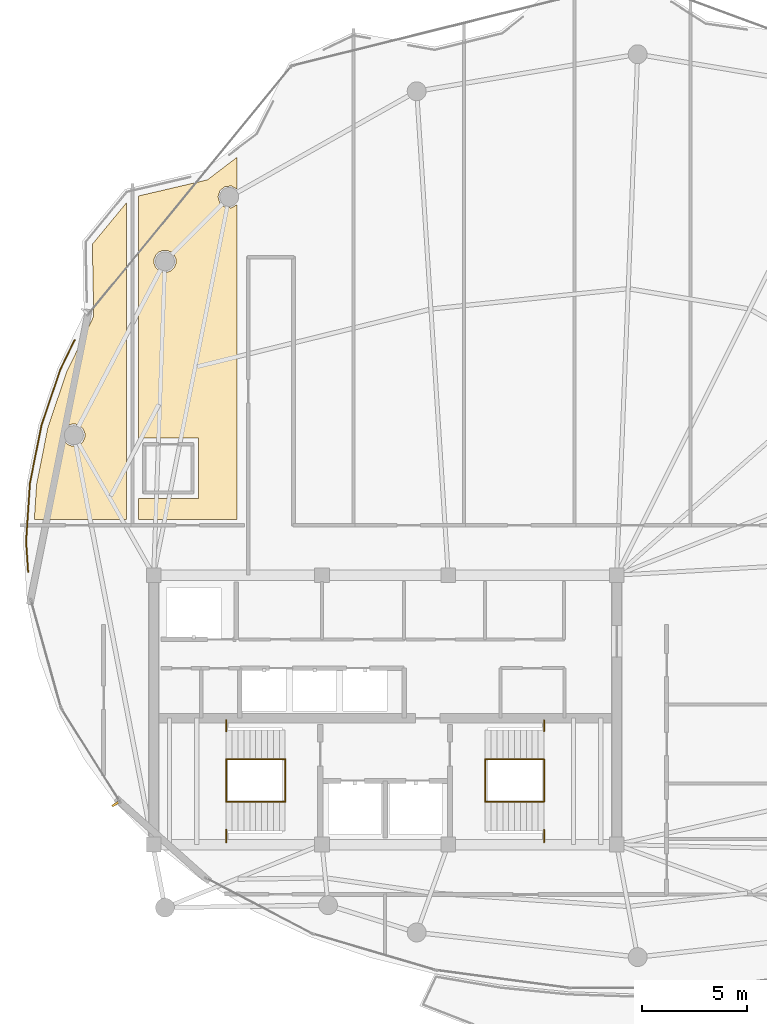
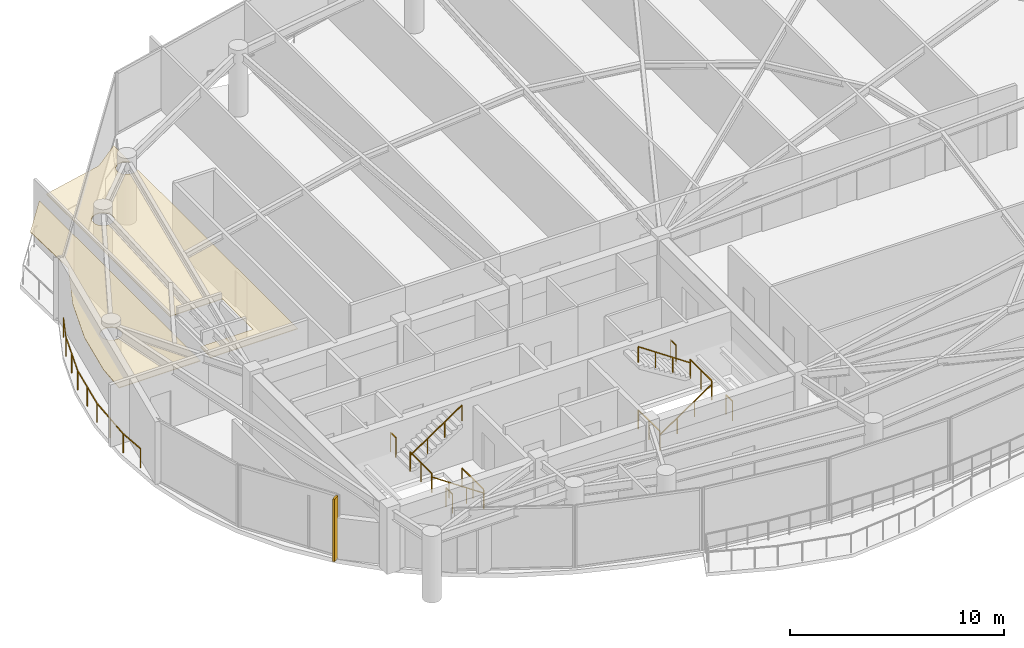
# One storey, part 27 of 29: 13 railings, 2 coverings, 1 shading device.
"""IFC4 building model written with IfcOpenShell, lengths in metres."""

import ifcopenshell
import ifcopenshell.guid

model = None  # the IFC model being written
_history = None  # IfcOwnerHistory: only IFC2X3 demands one
_inside = {}  # id of a spatial element -> (the spatial element, [elements in it])
_under = {}  # id of a project, library or spatial element -> (it, [spatial elements below it])
_declared = {}  # id of a project -> (the project, [libraries it declares])
_typed = {}  # id of a type object -> (the type object, [elements of that type])
_made_of = {}  # id of a material, layer set ... -> (it, [elements and type objects made of it])


def new_model(schema):
    """Start an empty IFC model of exactly this schema.

    Asked for "IFC4X3", IfcOpenShell would pick the latest addendum, in which some entities
    have other attributes; the version numbers below select the first issue.
    IFC2X3 requires an IfcOwnerHistory on every rooted entity: one is made here for all.
    """
    global model, _history
    if schema == "IFC4X3":
        model = ifcopenshell.file(schema_version=(4, 3, 0, 0))
    else:
        model = ifcopenshell.file(schema=schema)
    _inside.clear()
    _under.clear()
    _declared.clear()
    _typed.clear()
    _made_of.clear()
    _history = None
    if model.schema == "IFC2X3":
        org = make("IfcOrganization", Name="unknown")
        user = make(
            "IfcPersonAndOrganization",
            ThePerson=make("IfcPerson", FamilyName="unknown"),
            TheOrganization=org,
        )
        app = make(
            "IfcApplication",
            ApplicationDeveloper=org,
            Version="unknown",
            ApplicationFullName="unknown",
            ApplicationIdentifier="unknown",
        )
        _history = make(
            "IfcOwnerHistory",
            OwningUser=user,
            OwningApplication=app,
            ChangeAction="ADDED",
            CreationDate=0,
        )
    return model


def make(cls, **values):
    """One entity of the class cls with the attributes given. An attribute that is None is left unset."""
    return model.create_entity(
        cls, **{name: value for name, value in values.items() if value is not None}
    )


def rooted(cls, **values):
    """An entity with a GlobalId (a new one), such as an element, a storey or a relation."""
    return make(cls, GlobalId=ifcopenshell.guid.new(), OwnerHistory=_history, **values)


def si_unit(unit_type, name, prefix=None):
    """IfcSIUnit, for example si_unit("LENGTHUNIT", "METRE", prefix="MILLI")."""
    return make("IfcSIUnit", UnitType=unit_type, Prefix=prefix, Name=name)


def assignment(units):
    """IfcUnitAssignment: the units of a project."""
    return None if units is None else make("IfcUnitAssignment", Units=units)


def point(xyz):
    """IfcCartesianPoint."""
    return None if xyz is None else make("IfcCartesianPoint", Coordinates=xyz)


def direction(xyz):
    """IfcDirection."""
    return None if xyz is None else make("IfcDirection", DirectionRatios=xyz)


def frame(location, z_axis=None, x_axis=None):
    """IfcAxis2Placement3D, a coordinate frame: its origin and axes. An axis left out is left unset."""
    return make(
        "IfcAxis2Placement3D",
        Location=point(location),
        Axis=direction(z_axis),
        RefDirection=direction(x_axis),
    )


def frame_2d(location, x_axis=None):
    """IfcAxis2Placement2D, a coordinate frame in the plane: its origin and x axis."""
    return make(
        "IfcAxis2Placement2D", Location=point(location), RefDirection=direction(x_axis)
    )


def origin():
    """The frame at (0, 0, 0) with its axes left unset."""
    return frame((0.0, 0.0, 0.0))


def origin_2d():
    """The frame at (0, 0) in the plane with its x axis left unset."""
    return frame_2d((0.0, 0.0))


def place(relative_to, where):
    """IfcLocalPlacement: puts the frame where relative to a parent placement (None: the world)."""
    return make(
        "IfcLocalPlacement", PlacementRelTo=relative_to, RelativePlacement=where
    )


def context(
    kind, dimensions, precision=None, world=None, true_north=None, identifier=None
):
    """IfcGeometricRepresentationContext, for example the 3D "Model" context."""
    return make(
        "IfcGeometricRepresentationContext",
        ContextIdentifier=identifier,
        ContextType=kind,
        CoordinateSpaceDimension=dimensions,
        Precision=precision,
        WorldCoordinateSystem=world,
        TrueNorth=true_north,
    )


def subcontext(parent, identifier, kind, view, scale=None):
    """IfcGeometricRepresentationSubContext, for example "Body" below "Model"."""
    return make(
        "IfcGeometricRepresentationSubContext",
        ContextIdentifier=identifier,
        ContextType=kind,
        ParentContext=parent,
        TargetScale=scale,
        TargetView=view,
    )


def project(units=None, contexts=None):
    """IfcProject with its units and contexts."""
    return rooted(
        "IfcProject",
        Name="project",
        RepresentationContexts=contexts,
        UnitsInContext=assignment(units),
    )


def spatial(cls, under=None, at=None, **own):
    """A site, building, storey or space (cls), placed at a placement, below another one or the project."""
    s = rooted(cls, ObjectPlacement=at, **own)
    if under is not None:
        _under.setdefault(under.id(), (under, []))[1].append(s)
    return s


def polyline(points):
    """IfcPolyline through the points."""
    return make("IfcPolyline", Points=[point(p) for p in points])


def profile(cls, at=None, kind="AREA", **sizes):
    """A parametric profile (cls). Its sizes go by their IFC names, for example OverallWidth=200.0."""
    return make(cls, ProfileType=kind, Position=at, **sizes)


def rectangle(**sizes):
    """IfcRectangleProfileDef."""
    return profile("IfcRectangleProfileDef", **sizes)


def outline(outer, holes=None, kind="AREA"):
    """IfcArbitraryClosedProfileDef: a profile drawn as a closed curve; with holes, ...WithVoids."""
    if holes is None:
        return make("IfcArbitraryClosedProfileDef", ProfileType=kind, OuterCurve=outer)
    return make(
        "IfcArbitraryProfileDefWithVoids",
        ProfileType=kind,
        OuterCurve=outer,
        InnerCurves=holes,
    )


def extrude(swept, where, along, depth):
    """IfcExtrudedAreaSolid: the profile swept, set in the frame where, extruded along a direction by depth."""
    return make(
        "IfcExtrudedAreaSolid",
        SweptArea=swept,
        Position=where,
        ExtrudedDirection=direction(along),
        Depth=depth,
    )


def shape(context_of_items, identifier, shape_type, items):
    """IfcShapeRepresentation: the items that make up one representation, for example the "Body"."""
    return make(
        "IfcShapeRepresentation",
        ContextOfItems=context_of_items,
        RepresentationIdentifier=identifier,
        RepresentationType=shape_type,
        Items=items,
    )


def material(Name=None, Category=None):
    """IfcMaterial."""
    return make("IfcMaterial", Name=Name, Category=Category)


def layer(
    of_material, thickness, ventilated=None, Name=None, Category=None, Priority=None
):
    """IfcMaterialLayer: one layer of a wall or slab, of a material (None: an air gap)."""
    return make(
        "IfcMaterialLayer",
        Material=of_material,
        LayerThickness=thickness,
        IsVentilated=ventilated,
        Name=Name,
        Category=Category,
        Priority=Priority,
    )


def layer_set(layers, Name=None):
    """IfcMaterialLayerSet."""
    return make("IfcMaterialLayerSet", MaterialLayers=layers, LayerSetName=Name)


def made_of(thing, what):
    """Note that an element or type object is made of a material, layer set ...; save() writes the relation."""
    if what is not None:
        _made_of.setdefault(what.id(), (what, []))[1].append(thing)
    return thing


def type_object(cls, material=None, **own):
    """A type object (cls), such as IfcWallType, which elements share."""
    return made_of(rooted(cls, **own), material)


def element(
    cls,
    number,
    at=None,
    inside=None,
    cuts=None,
    type_object=None,
    material=None,
    context=None,
    identifier="Body",
    shape_type=None,
    held_by="IfcProductDefinitionShape",
    body=None,
    shapes=None,
    **own,
):
    """One element of the class cls, such as IfcWall. Its Tag is "e" and its number.

    at: its placement. inside: the storey or other place that contains it. cuts: it is an
    opening in that element (IfcRelVoidsElement). A single representation is given by context,
    identifier, shape_type and body (its items); several are given by shapes. held_by: the class
    of the entity that holds the representations. save() writes the other relations.
    """
    e = rooted(cls, Tag="e%d" % number, ObjectPlacement=at, **own)
    if body is not None:
        shapes = [shape(context, identifier, shape_type, body)]
    if shapes is not None:
        e.Representation = make(held_by, Representations=shapes)
    if inside is not None:
        _inside.setdefault(inside.id(), (inside, []))[1].append(e)
    if cuts is not None:
        rooted(
            "IfcRelVoidsElement", RelatingBuildingElement=cuts, RelatedOpeningElement=e
        )
    if type_object is not None:
        _typed.setdefault(type_object.id(), (type_object, []))[1].append(e)
    return made_of(e, material)


def aggregate(whole, parts):
    """IfcRelAggregates: a whole, such as a stair, and the parts it consists of."""
    return rooted("IfcRelAggregates", RelatingObject=whole, RelatedObjects=parts)


def save(model, path):
    """Write the relations noted so far, then the file.

    IfcRelAggregates (storeys below a building ...), IfcRelContainedInSpatialStructure (elements
    in a storey), IfcRelDefinesByType, IfcRelAssociatesMaterial and IfcRelDeclares: one each for
    every whole, place, type object, material and project.
    """
    for whole, parts in _under.values():
        aggregate(whole, parts)
    for where, things in _inside.values():
        rooted(
            "IfcRelContainedInSpatialStructure",
            RelatedElements=things,
            RelatingStructure=where,
        )
    for kind, things in _typed.values():
        rooted("IfcRelDefinesByType", RelatedObjects=things, RelatingType=kind)
    for what, things in _made_of.values():
        rooted("IfcRelAssociatesMaterial", RelatedObjects=things, RelatingMaterial=what)
    for by, libraries in _declared.values():
        rooted("IfcRelDeclares", RelatingContext=by, RelatedDefinitions=libraries)
    model.write(path)


model = new_model("IFC4")

# Units and contexts
model_context = context("Model", 3, precision=1e-05, world=origin(), true_north=direction((0.0, 1.0)))
body_context = subcontext(model_context, "Body", "Model", "MODEL_VIEW")
ifc_project = project(units=[si_unit("LENGTHUNIT", "METRE"), si_unit("AREAUNIT", "SQUARE_METRE"), si_unit("VOLUMEUNIT", "CUBIC_METRE"), si_unit("PLANEANGLEUNIT", "RADIAN"), si_unit("MASSUNIT", "GRAM", prefix="KILO")], contexts=[model_context])

# Site, building, storey
site_placement = place(None, origin())
site = spatial("IfcSite", under=ifc_project, at=site_placement, CompositionType="ELEMENT")
building_placement = place(site_placement, origin())
building = spatial("IfcBuilding", under=site, at=building_placement, Name="Kazevale Care Tower and Concert Hall", CompositionType="ELEMENT")
storey_placement = place(building_placement, frame((0.0, 0.0, 285.199951171875)))
storey = spatial("IfcBuildingStorey", under=building, at=storey_placement, Name="L75", CompositionType="ELEMENT", Elevation=285.199951171875)

# Coverings
ifc_material_1 = material(Name="Acoustic Plaster and Hinoki Wood", Category="wood")
ifc_layer = layer(ifc_material_1, 0.0400390625)
ifc_layer_set = layer_set([ifc_layer], Name="Acoustic Plaster and Hinoki Wood")
covering_type = type_object("IfcCoveringType", Name="Acoustic Perforated Wood-Gypsum Ceiling", PredefinedType="CEILING", material=ifc_layer_set)
covering_1_placement = place(storey_placement, frame((0.0, 0.0, 2.91015625)))
element("IfcCovering", 1, at=covering_1_placement, inside=storey, type_object=covering_type, Name="clg:L75:1", PredefinedType="CEILING", context=body_context, shape_type="SweptSolid", body=[
    extrude(outline(polyline([(16.97705078125, 43.422119140625), (17.864990234375, 46.049072265625), (19.154052734375, 48.701904296875), (19.087890625, 52.1240234375), (20.719970703125, 54.10693359375), (20.719970703125, 39.054931640625), (16.330078125, 39.054931640625), (16.44091796875, 40.72802734375), (16.97705078125, 43.422119140625)]), holes=[polyline([(18.72998046875, 43.153076171875), (18.65087890625, 43.343994140625), (18.50390625, 43.490966796875), (18.31298828125, 43.570068359375), (18.10693359375, 43.570068359375), (17.916015625, 43.490966796875), (17.76904296875, 43.343994140625), (17.68994140625, 43.153076171875), (17.68994140625, 42.947021484375), (17.76904296875, 42.756103515625), (17.916015625, 42.60888671875), (18.10693359375, 42.530029296875), (18.31298828125, 42.530029296875), (18.50390625, 42.60888671875), (18.65087890625, 42.756103515625), (18.72998046875, 42.947021484375), (18.72998046875, 43.153076171875)])]), origin(), (0.0, 0.0, 1.0), 0.039794921875),
])
covering_2_placement = place(storey_placement, frame((0.0, 0.0, 2.91015625)))
element("IfcCovering", 2, at=covering_2_placement, inside=storey, type_object=covering_type, Name="clg:L75:2", PredefinedType="CEILING", context=body_context, shape_type="SweptSolid", body=[
    extrude(outline(polyline([(24.1298828125, 42.905029296875), (21.280029296875, 42.905029296875), (21.280029296875, 54.4169921875), (24.552978515625, 55.180908203125), (25.969970703125, 56.260986328125), (25.969970703125, 54.738037109375), (25.693115234375, 54.889892578125), (25.386962890625, 54.860107421875), (25.14892578125, 54.6640625), (25.06005859375, 54.3701171875), (25.14892578125, 54.075927734375), (25.386962890625, 53.8798828125), (25.693115234375, 53.85009765625), (25.969970703125, 54.001953125), (25.969970703125, 39.054931640625), (21.280029296875, 39.054931640625), (21.280029296875, 40.044921875), (24.1298828125, 40.044921875), (24.1298828125, 42.905029296875)]), holes=[polyline([(23.06005859375, 51.4130859375), (22.98095703125, 51.60400390625), (22.833984375, 51.7509765625), (22.64306640625, 51.830078125), (22.43701171875, 51.830078125), (22.24609375, 51.7509765625), (22.09912109375, 51.60400390625), (22.02001953125, 51.4130859375), (22.02001953125, 51.20703125), (22.09912109375, 51.01611328125), (22.24609375, 50.868896484375), (22.43701171875, 50.7900390625), (22.64306640625, 50.7900390625), (22.833984375, 50.868896484375), (22.98095703125, 51.01611328125), (23.06005859375, 51.20703125), (23.06005859375, 51.4130859375)])]), origin(), (0.0, 0.0, 1.0), 0.039794921875),
])

# Railings
ifc_material_2 = material(Name="Anodised Bronze Aluminium and Laminated Glass", Category="aluminium")
railing_type_1 = type_object("IfcRailingType", Name="Balcony and Terrace Balustrade 1120", PredefinedType="BALUSTRADE", material=ifc_material_2)
railing_1_placement = place(storey_placement, frame((16.035888671875, 36.556884765625, 0.0)))
element("IfcRailing", 3, at=railing_1_placement, inside=storey, type_object=railing_type_1, Name="rail:L75:perim:1", PredefinedType="BALUSTRADE", context=body_context, shape_type="SweptSolid", body=[
    extrude(rectangle(XDim=0.048095703125, YDim=0.048095703125, at=origin_2d()), frame((0.0, 0.0, 1.09619140625), z_axis=(-0.066339749167, 0.997797092439, 0.0), x_axis=(-0.997797092439, -0.066339749167, 0.0)), (0.0, 0.0, 1.0), 1.4462890625),
    extrude(rectangle(XDim=0.048095703125, YDim=0.048095703125, at=origin_2d()), frame((-0.095947265625, 1.443115234375, 1.09619140625), z_axis=(0.065958643417, 0.997822357616, 0.0), x_axis=(-0.997822357616, 0.065958643417, 0.0)), (0.0, 0.0, 1.0), 2.776123046875),
    extrude(rectangle(XDim=0.048095703125, YDim=0.048095703125, at=origin_2d()), frame((0.087158203125, 4.213134765625, 1.09619140625), z_axis=(0.195408959087, 0.980721845738, 0.0), x_axis=(-0.980721845738, 0.195408959087, 0.0)), (0.0, 0.0, 1.0), 2.78857421875),
    extrude(rectangle(XDim=0.048095703125, YDim=0.048095703125, at=origin_2d()), frame((0.632080078125, 6.947998046875, 1.09619140625), z_axis=(0.31989547797, 0.947452839552, 0.0), x_axis=(-0.947452839552, 0.31989547797, 0.0)), (0.0, 0.0, 1.0), 2.81396484375),
    extrude(rectangle(XDim=0.048095703125, YDim=0.048095703125, at=origin_2d()), frame((1.5322265625, 9.614013671875, 1.09619140625), z_axis=(0.436955052618, 0.899483341698, 0.0), x_axis=(-0.899483341698, 0.436955052618, 0.0)), (0.0, 0.0, 1.0), 1.546630859375),
    extrude(rectangle(XDim=0.0419921875, YDim=0.0419921875, at=origin_2d()), origin(), (0.0, 0.0, 1.0), 1.072021484375),
    extrude(rectangle(XDim=0.0419921875, YDim=0.0419921875, at=origin_2d()), frame((-0.095947265625, 1.443115234375, 0.0)), (0.0, 0.0, 1.0), 1.072021484375),
    extrude(rectangle(XDim=0.0419921875, YDim=0.0419921875, at=origin_2d()), frame((-0.00439453125, 2.828125, 0.0)), (0.0, 0.0, 1.0), 1.072021484375),
    extrude(rectangle(XDim=0.0419921875, YDim=0.0419921875, at=origin_2d()), frame((0.087158203125, 4.213134765625, 0.0)), (0.0, 0.0, 1.0), 1.072021484375),
    extrude(rectangle(XDim=0.0419921875, YDim=0.0419921875, at=origin_2d()), frame((0.359619140625, 5.58056640625, 0.0)), (0.0, 0.0, 1.0), 1.072021484375),
    extrude(rectangle(XDim=0.0419921875, YDim=0.0419921875, at=origin_2d()), frame((0.632080078125, 6.947998046875, 0.0)), (0.0, 0.0, 1.0), 1.072021484375),
    extrude(rectangle(XDim=0.0419921875, YDim=0.0419921875, at=origin_2d()), frame((1.08203125, 8.281005859375, 0.0)), (0.0, 0.0, 1.0), 1.072021484375),
    extrude(rectangle(XDim=0.0419921875, YDim=0.0419921875, at=origin_2d()), frame((1.5322265625, 9.614013671875, 0.0)), (0.0, 0.0, 1.0), 1.072021484375),
    extrude(rectangle(XDim=0.0419921875, YDim=0.0419921875, at=origin_2d()), frame((2.2080078125, 11.005126953125, 0.0)), (0.0, 0.0, 1.0), 1.072021484375),
])
ifc_material_3 = material(Name="Stainless Steel 316", Category="steel")
railing_type_2 = type_object("IfcRailingType", Name="Stair Pitch Handrail 920", PredefinedType="HANDRAIL", material=ifc_material_3)
railing_2_placement = place(storey_placement, frame((28.25, 25.639892578125, 0.0)))
element("IfcRailing", 4, at=railing_2_placement, inside=storey, type_object=railing_type_2, Name="stair:L75:ST1:hr1", PredefinedType="HANDRAIL", context=body_context, shape_type="SweptSolid", body=[
    extrude(rectangle(XDim=0.048095703125, YDim=0.048095703125, at=origin_2d()), frame((0.0, 0.0, 0.89599609375), z_axis=(-0.827460210367, 0.0, 0.56152435411), x_axis=(0.0, -1.0, 0.0)), (0.0, 0.0, 1.0), 3.3837890625),
    extrude(rectangle(XDim=0.0419921875, YDim=0.0419921875, at=origin_2d()), origin(), (0.0, 0.0, 1.0), 0.871826171875),
    extrude(rectangle(XDim=0.0419921875, YDim=0.0419921875, at=origin_2d()), frame((-0.933349609375, 0.0, 0.63330078125)), (0.0, 0.0, 1.0), 0.871826171875),
    extrude(rectangle(XDim=0.0419921875, YDim=0.0419921875, at=origin_2d()), frame((-1.86669921875, 0.0, 1.266845703125)), (0.0, 0.0, 1.0), 0.871826171875),
    extrude(rectangle(XDim=0.0419921875, YDim=0.0419921875, at=origin_2d()), frame((-2.800048828125, 0.0, 1.900146484375)), (0.0, 0.0, 1.0), 0.871826171875),
])
railing_3_placement = place(storey_placement, frame((25.449951171875, 27.659912109375, 1.900146484375)))
element("IfcRailing", 5, at=railing_3_placement, inside=storey, type_object=railing_type_2, Name="stair:L75:ST1:hr2", PredefinedType="HANDRAIL", context=body_context, shape_type="SweptSolid", body=[
    extrude(rectangle(XDim=0.048095703125, YDim=0.048095703125, at=origin_2d()), frame((0.0, 0.0, 0.89599609375), z_axis=(0.827493732819, 0.0, 0.561474952376), x_axis=(0.0, 1.0, 0.0)), (0.0, 0.0, 1.0), 3.3837890625),
    extrude(rectangle(XDim=0.0419921875, YDim=0.0419921875, at=origin_2d()), origin(), (0.0, 0.0, 1.0), 0.871826171875),
    extrude(rectangle(XDim=0.0419921875, YDim=0.0419921875, at=origin_2d()), frame((0.933349609375, 0.0, 0.63330078125)), (0.0, 0.0, 1.0), 0.871826171875),
    extrude(rectangle(XDim=0.0419921875, YDim=0.0419921875, at=origin_2d()), frame((1.86669921875, 0.0, 1.2666015625)), (0.0, 0.0, 1.0), 0.871826171875),
    extrude(rectangle(XDim=0.0419921875, YDim=0.0419921875, at=origin_2d()), frame((2.800048828125, 0.0, 1.89990234375)), (0.0, 0.0, 1.0), 0.871826171875),
])
railing_4_placement = place(storey_placement, frame((37.75, 25.639892578125, 0.0)))
element("IfcRailing", 6, at=railing_4_placement, inside=storey, type_object=railing_type_2, Name="stair:L75:ST2:hr1", PredefinedType="HANDRAIL", context=body_context, shape_type="SweptSolid", body=[
    extrude(rectangle(XDim=0.048095703125, YDim=0.048095703125, at=origin_2d()), frame((0.0, 0.0, 0.89599609375), z_axis=(0.827460210367, 0.0, 0.56152435411), x_axis=(0.0, 1.0, 0.0)), (0.0, 0.0, 1.0), 3.3837890625),
    extrude(rectangle(XDim=0.0419921875, YDim=0.0419921875, at=origin_2d()), origin(), (0.0, 0.0, 1.0), 0.871826171875),
    extrude(rectangle(XDim=0.0419921875, YDim=0.0419921875, at=origin_2d()), frame((0.933349609375, 0.0, 0.63330078125)), (0.0, 0.0, 1.0), 0.871826171875),
    extrude(rectangle(XDim=0.0419921875, YDim=0.0419921875, at=origin_2d()), frame((1.86669921875, 0.0, 1.266845703125)), (0.0, 0.0, 1.0), 0.871826171875),
    extrude(rectangle(XDim=0.0419921875, YDim=0.0419921875, at=origin_2d()), frame((2.800048828125, 0.0, 1.900146484375)), (0.0, 0.0, 1.0), 0.871826171875),
])
railing_5_placement = place(storey_placement, frame((40.550048828125, 27.659912109375, 1.900146484375)))
element("IfcRailing", 7, at=railing_5_placement, inside=storey, type_object=railing_type_2, Name="stair:L75:ST2:hr2", PredefinedType="HANDRAIL", context=body_context, shape_type="SweptSolid", body=[
    extrude(rectangle(XDim=0.048095703125, YDim=0.048095703125, at=origin_2d()), frame((0.0, 0.0, 0.89599609375), z_axis=(-0.827493732819, 0.0, 0.561474952376), x_axis=(0.0, -1.0, 0.0)), (0.0, 0.0, 1.0), 3.3837890625),
    extrude(rectangle(XDim=0.0419921875, YDim=0.0419921875, at=origin_2d()), origin(), (0.0, 0.0, 1.0), 0.871826171875),
    extrude(rectangle(XDim=0.0419921875, YDim=0.0419921875, at=origin_2d()), frame((-0.933349609375, 0.0, 0.63330078125)), (0.0, 0.0, 1.0), 0.871826171875),
    extrude(rectangle(XDim=0.0419921875, YDim=0.0419921875, at=origin_2d()), frame((-1.86669921875, 0.0, 1.2666015625)), (0.0, 0.0, 1.0), 0.871826171875),
    extrude(rectangle(XDim=0.0419921875, YDim=0.0419921875, at=origin_2d()), frame((-2.800048828125, 0.0, 1.89990234375)), (0.0, 0.0, 1.0), 0.871826171875),
])
railing_type_3 = type_object("IfcRailingType", Name="Stair Well Guard Balustrade 1120", PredefinedType="BALUSTRADE", material=ifc_material_3)
railing_6_placement = place(storey_placement, frame((25.449951171875, 23.699951171875, 1.900146484375)))
element("IfcRailing", 8, at=railing_6_placement, inside=storey, type_object=railing_type_3, Name="stair:L75:ST1:grd_side1", PredefinedType="BALUSTRADE", context=body_context, shape_type="SweptSolid", body=[
    extrude(rectangle(XDim=0.048095703125, YDim=0.048095703125, at=origin_2d()), frame((0.0, 0.0, 1.09619140625), z_axis=(0.0, 1.0, 0.0), x_axis=(-1.0, 0.0, 0.0)), (0.0, 0.0, 1.0), 0.610107421875),
    extrude(rectangle(XDim=0.0419921875, YDim=0.0419921875, at=origin_2d()), origin(), (0.0, 0.0, 1.0), 1.072021484375),
    extrude(rectangle(XDim=0.0419921875, YDim=0.0419921875, at=origin_2d()), frame((0.0, 0.610107421875, 0.0)), (0.0, 0.0, 1.0), 1.072021484375),
])
railing_7_placement = place(storey_placement, frame((25.449951171875, 28.989990234375, 1.900146484375)))
element("IfcRailing", 9, at=railing_7_placement, inside=storey, type_object=railing_type_3, Name="stair:L75:ST1:grd_side2", PredefinedType="BALUSTRADE", context=body_context, shape_type="SweptSolid", body=[
    extrude(rectangle(XDim=0.048095703125, YDim=0.048095703125, at=origin_2d()), frame((0.0, 0.0, 1.09619140625), z_axis=(0.0, 1.0, 0.0), x_axis=(-1.0, 0.0, 0.0)), (0.0, 0.0, 1.0), 0.510009765625),
    extrude(rectangle(XDim=0.0419921875, YDim=0.0419921875, at=origin_2d()), origin(), (0.0, 0.0, 1.0), 1.072021484375),
    extrude(rectangle(XDim=0.0419921875, YDim=0.0419921875, at=origin_2d()), frame((0.0, 0.510009765625, 0.0)), (0.0, 0.0, 1.0), 1.072021484375),
])
for number, where, name in (
    (10, (25.449951171875, 25.639892578125, 1.900146484375), "stair:L75:ST1:grd_mid"),
    (11, (28.25, 25.639892578125, 0.0), "stair:L75:ST1:grd_flr"),
):
    element("IfcRailing", number, at=place(storey_placement, frame(where)), inside=storey, type_object=railing_type_3, Name=name, PredefinedType="BALUSTRADE", context=body_context, shape_type="SweptSolid", body=[
        extrude(rectangle(XDim=0.048095703125, YDim=0.048095703125, at=origin_2d()), frame((0.0, 0.0, 1.09619140625), z_axis=(0.0, 1.0, 0.0), x_axis=(-1.0, 0.0, 0.0)), (0.0, 0.0, 1.0), 2.02001953125),
        extrude(rectangle(XDim=0.0419921875, YDim=0.0419921875, at=origin_2d()), origin(), (0.0, 0.0, 1.0), 1.072021484375),
        extrude(rectangle(XDim=0.0419921875, YDim=0.0419921875, at=origin_2d()), frame((0.0, 1.010009765625, 0.0)), (0.0, 0.0, 1.0), 1.072021484375),
        extrude(rectangle(XDim=0.0419921875, YDim=0.0419921875, at=origin_2d()), frame((0.0, 2.02001953125, 0.0)), (0.0, 0.0, 1.0), 1.072021484375),
    ])
railing_8_placement = place(storey_placement, frame((40.550048828125, 23.699951171875, 1.900146484375)))
element("IfcRailing", 12, at=railing_8_placement, inside=storey, type_object=railing_type_3, Name="stair:L75:ST2:grd_side1", PredefinedType="BALUSTRADE", context=body_context, shape_type="SweptSolid", body=[
    extrude(rectangle(XDim=0.048095703125, YDim=0.048095703125, at=origin_2d()), frame((0.0, 0.0, 1.09619140625), z_axis=(0.0, 1.0, 0.0), x_axis=(-1.0, 0.0, 0.0)), (0.0, 0.0, 1.0), 0.610107421875),
    extrude(rectangle(XDim=0.0419921875, YDim=0.0419921875, at=origin_2d()), origin(), (0.0, 0.0, 1.0), 1.072021484375),
    extrude(rectangle(XDim=0.0419921875, YDim=0.0419921875, at=origin_2d()), frame((0.0, 0.610107421875, 0.0)), (0.0, 0.0, 1.0), 1.072021484375),
])
railing_9_placement = place(storey_placement, frame((40.550048828125, 28.989990234375, 1.900146484375)))
element("IfcRailing", 13, at=railing_9_placement, inside=storey, type_object=railing_type_3, Name="stair:L75:ST2:grd_side2", PredefinedType="BALUSTRADE", context=body_context, shape_type="SweptSolid", body=[
    extrude(rectangle(XDim=0.048095703125, YDim=0.048095703125, at=origin_2d()), frame((0.0, 0.0, 1.09619140625), z_axis=(0.0, 1.0, 0.0), x_axis=(-1.0, 0.0, 0.0)), (0.0, 0.0, 1.0), 0.510009765625),
    extrude(rectangle(XDim=0.0419921875, YDim=0.0419921875, at=origin_2d()), origin(), (0.0, 0.0, 1.0), 1.072021484375),
    extrude(rectangle(XDim=0.0419921875, YDim=0.0419921875, at=origin_2d()), frame((0.0, 0.510009765625, 0.0)), (0.0, 0.0, 1.0), 1.072021484375),
])
for number, where, name in (
    (14, (40.550048828125, 25.639892578125, 1.900146484375), "stair:L75:ST2:grd_mid"),
    (15, (37.75, 25.639892578125, 0.0), "stair:L75:ST2:grd_flr"),
):
    element("IfcRailing", number, at=place(storey_placement, frame(where)), inside=storey, type_object=railing_type_3, Name=name, PredefinedType="BALUSTRADE", context=body_context, shape_type="SweptSolid", body=[
        extrude(rectangle(XDim=0.048095703125, YDim=0.048095703125, at=origin_2d()), frame((0.0, 0.0, 1.09619140625), z_axis=(0.0, 1.0, 0.0), x_axis=(-1.0, 0.0, 0.0)), (0.0, 0.0, 1.0), 2.02001953125),
        extrude(rectangle(XDim=0.0419921875, YDim=0.0419921875, at=origin_2d()), origin(), (0.0, 0.0, 1.0), 1.072021484375),
        extrude(rectangle(XDim=0.0419921875, YDim=0.0419921875, at=origin_2d()), frame((0.0, 1.010009765625, 0.0)), (0.0, 0.0, 1.0), 1.072021484375),
        extrude(rectangle(XDim=0.0419921875, YDim=0.0419921875, at=origin_2d()), frame((0.0, 2.02001953125, 0.0)), (0.0, 0.0, 1.0), 1.072021484375),
    ])

# Shading device
ifc_material_4 = material(Name="Anodised Bronze Aluminium", Category="aluminium")
shading_device_type = type_object("IfcShadingDeviceType", Name="Waist Anodised Bronze-Stone Fin FIN-02", PredefinedType="USERDEFINED", material=ifc_material_4)
shading_device_placement = place(storey_placement, frame((20.175048828125, 25.5146484375, 0.0), z_axis=(0.0, 0.0, 1.0), x_axis=(-0.846657866138, -0.532137630417, 0.0)))
element("IfcShadingDevice", 16, at=shading_device_placement, inside=storey, type_object=shading_device_type, Name="cw:L75:f11:fin", ObjectType="FIN", PredefinedType="USERDEFINED", context=body_context, shape_type="SweptSolid", body=[
    extrude(rectangle(XDim=0.340087890625, YDim=0.10009765625, at=origin_2d()), origin(), (0.0, 0.0, 1.0), 3.56005859375),
])

save(model, "model.ifc")
